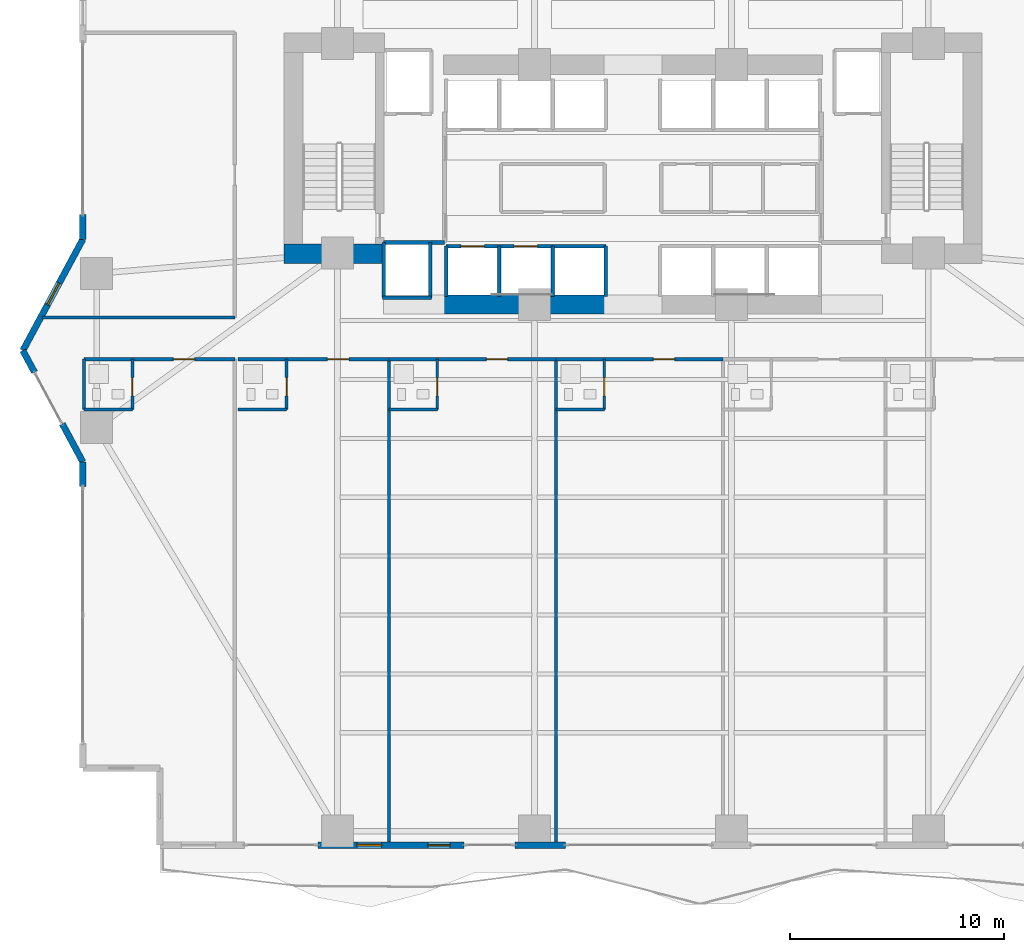
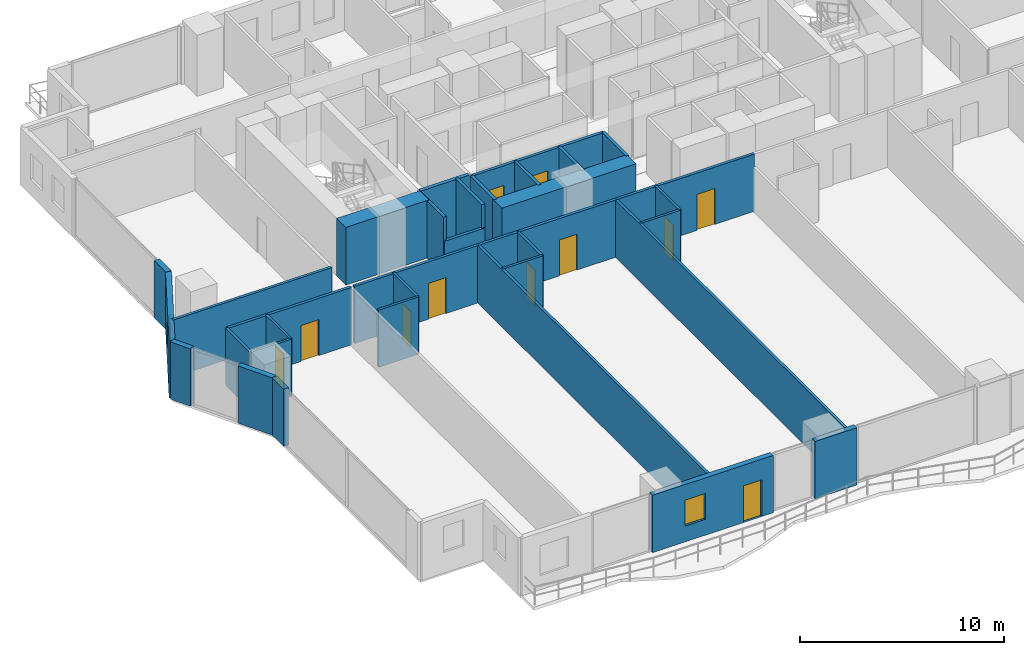
# One storey, part 19 of 28: 36 walls, 11 doors, 2 windows, 13 openings.
"""IFC4 building model written with IfcOpenShell, lengths in metres."""

from ifc_helpers import new_model, si_unit, direction, frame, frame_2d, origin, place, context, subcontext, project, spatial, rectangle, extrude, material, layer, layer_set, type_object, element, fill, save


model = new_model("IFC4")

# Units and contexts
model_context = context("Model", 3, precision=1e-05, world=origin(), true_north=direction((0.0, 1.0)))
body_context = subcontext(model_context, "Body", "Model", "MODEL_VIEW")
ifc_project = project(units=[si_unit("LENGTHUNIT", "METRE"), si_unit("AREAUNIT", "SQUARE_METRE"), si_unit("VOLUMEUNIT", "CUBIC_METRE"), si_unit("PLANEANGLEUNIT", "RADIAN"), si_unit("MASSUNIT", "GRAM", prefix="KILO")], contexts=[model_context])

# Site, building, storey
site_placement = place(None, origin())
site = spatial("IfcSite", under=ifc_project, at=site_placement, CompositionType="ELEMENT")
building_placement = place(site_placement, origin())
building = spatial("IfcBuilding", under=site, at=building_placement, Name="Zuhayl Quay Hotel", CompositionType="ELEMENT")
storey_placement = place(building_placement, frame((0.0, 0.0, 53.14990234375)))
storey = spatial("IfcBuildingStorey", under=building, at=storey_placement, Name="L12", CompositionType="ELEMENT", Elevation=53.14990234375)

# Walls
ifc_material_1 = material(Name="Concrete C70/85", Category="concrete")
ifc_layer_1 = layer(ifc_material_1, 0.89990234375, Name="Concrete C70/85", Category="concrete")
ifc_layer_set_1 = layer_set([ifc_layer_1], Name="Concrete C70/85")
wall_type_1 = type_object("IfcWallType", Name="WL_CORE_900", PredefinedType="SHEAR", material=ifc_layer_set_1)
wall_1_placement = place(storey_placement, frame((-16.31005859375, 4.52001953125, 0.0), z_axis=(0.0, 0.0, 1.0), x_axis=(1.0, 0.0, 0.0)))
element("IfcWall", 1, at=wall_1_placement, inside=storey, type_object=wall_type_1, Name="L12 Core Shear Wall CW_SW", PredefinedType="SHEAR", context=body_context, shape_type="SweptSolid", body=[
    extrude(rectangle(XDim=4.7099609375, YDim=0.89990234375, at=frame_2d((2.35498046875, 0.0))), origin(), (0.0, 0.0, 1.0), 3.460205078125),
])
wall_2_placement = place(storey_placement, frame((-8.85009765625, 2.14990234375, 0.0), z_axis=(0.0, 0.0, 1.0), x_axis=(1.0, 0.0, 0.0)))
element("IfcWall", 2, at=wall_2_placement, inside=storey, type_object=wall_type_1, Name="L12 Core Shear Wall CW_SC_W", PredefinedType="SHEAR", context=body_context, shape_type="SweptSolid", body=[
    extrude(rectangle(XDim=7.60009765625, YDim=0.89990234375, at=frame_2d((3.800048828125, 0.0))), origin(), (0.0, 0.0, 1.0), 3.43017578125),
])
ifc_material_2 = material(Name="Precast concrete C45/55", Category="concrete")
ifc_layer_2 = layer(ifc_material_2, 0.300048828125, Name="Precast concrete C45/55", Category="concrete")
ifc_layer_set_2 = layer_set([ifc_layer_2], Name="Precast concrete C45/55")
wall_type_2 = type_object("IfcWallType", Name="WL_EXT_300", PredefinedType="STANDARD", material=ifc_layer_set_2)
wall_3_placement = place(storey_placement, frame((-25.699951171875, -6.35009765625, 0.0), z_axis=(0.0, 0.0, 1.0), x_axis=(0.0, 1.0, 0.0)))
element("IfcWall", 3, at=wall_3_placement, inside=storey, type_object=wall_type_2, Name="L12 Exterior Precast Wall ENV_L12_E02_EW2", PredefinedType="STANDARD", context=body_context, shape_type="SweptSolid", body=[
    extrude(rectangle(XDim=1.150146484375, YDim=0.300048828125, at=frame_2d((0.5751953125, 0.0))), origin(), (0.0, 0.0, 1.0), 3.43017578125),
])
wall_4_placement = place(storey_placement, frame((-25.699951171875, -5.199951171875, 0.0), z_axis=(0.0, 0.0, 1.0), x_axis=(-0.474121438562, 0.88045946045, 0.0)))
element("IfcWall", 4, at=wall_4_placement, inside=storey, type_object=wall_type_2, Name="L12 Exterior Precast Wall ENV_L12_E03_EW1", PredefinedType="STANDARD", context=body_context, shape_type="SweptSolid", body=[
    extrude(rectangle(XDim=2.0205078125, YDim=0.300048828125, at=frame_2d((1.01025390625, 0.0))), origin(), (0.0, 0.0, 1.0), 3.43017578125),
])
wall_5_placement = place(storey_placement, frame((-27.954833984375, -1.012451171875, 0.0), z_axis=(0.0, 0.0, 1.0), x_axis=(-0.474099823035, 0.880471099922, 0.0)))
element("IfcWall", 5, at=wall_5_placement, inside=storey, type_object=wall_type_2, Name="L12 Exterior Precast Wall ENV_L12_E03_EW2", PredefinedType="STANDARD", context=body_context, shape_type="SweptSolid", body=[
    extrude(rectangle(XDim=1.14990234375, YDim=0.300048828125, at=frame_2d((0.574951171875, 0.0))), origin(), (0.0, 0.0, 1.0), 3.43017578125),
])

# Wall, opening, window
wall_6_placement = place(storey_placement, frame((-28.5, 0.0, 0.0), z_axis=(0.0, 0.0, 1.0), x_axis=(0.474109683532, 0.880465790352, 0.0)))
wall_6 = element("IfcWall", 6, at=wall_6_placement, inside=storey, type_object=wall_type_2, Name="L12 Exterior Precast Wall ENV_L12_E04_EW1", PredefinedType="STANDARD", context=body_context, shape_type="SweptSolid", body=[
    extrude(rectangle(XDim=5.906005859375, YDim=0.300048828125, at=frame_2d((2.953125, 0.0))), origin(), (0.0, 0.0, 1.0), 3.43017578125),
])
opening_1_placement = place(wall_6_placement, frame((2.43212890625, 0.0, 0.949951171875)))
opening_1 = element("IfcOpeningElement", 7, at=opening_1_placement, cuts=wall_6, Name="Opening W01N", PredefinedType="OPENING", context=body_context, shape_type="SweptSolid", body=[
    extrude(rectangle(XDim=1.14990234375, YDim=1.550048828125, at=frame_2d((0.574951171875, 0.77490234375))), frame((0.0, 0.159912109375, 0.0), z_axis=(0.0, -1.0, 0.0), x_axis=(1.0, 0.0, 0.0)), (0.0, 0.0, 1.0), 0.320068359375),
])
ifc_material_3 = material(Name="Dark Ceramic-Fritted Solar Glass", Category="glass")
window_type = type_object("IfcWindowType", Name="WN_NOTCH_1350", PartitioningType="SINGLE_PANEL", PredefinedType="WINDOW", material=ifc_material_3)
window_1_placement = place(opening_1_placement, origin())
window_1 = element("IfcWindow", 8, at=window_1_placement, inside=storey, type_object=window_type, Name="L12 Operable Facade Window 1-1", OverallHeight=1.550048828125, OverallWidth=1.14990234375, PartitioningType="SINGLE_PANEL", PredefinedType="WINDOW", context=body_context, shape_type="SweptSolid", body=[
    extrude(rectangle(XDim=1.14990234375, YDim=1.550048828125, at=frame_2d((0.574951171875, 0.77490234375))), frame((0.0, 0.030029296875, 0.0), z_axis=(0.0, -1.0, 0.0), x_axis=(1.0, 0.0, 0.0)), (0.0, 0.0, 1.0), 0.06005859375),
])
fill(opening_1, window_1)

# Walls
wall_7_placement = place(storey_placement, frame((-25.699951171875, 5.199951171875, 0.0), z_axis=(0.0, 0.0, 1.0), x_axis=(0.0, 1.0, 0.0)))
element("IfcWall", 9, at=wall_7_placement, inside=storey, type_object=wall_type_2, Name="L12 Exterior Precast Wall ENV_L12_E05_EW1", PredefinedType="STANDARD", context=body_context, shape_type="SweptSolid", body=[
    extrude(rectangle(XDim=1.150146484375, YDim=0.300048828125, at=frame_2d((0.5751953125, 0.0))), origin(), (0.0, 0.0, 1.0), 3.43017578125),
])
wall_8_placement = place(storey_placement, frame((-3.14990234375, -23.10009765625, 0.0), z_axis=(0.0, 0.0, 1.0), x_axis=(-1.0, 0.0, 0.0)))
element("IfcWall", 10, at=wall_8_placement, inside=storey, type_object=wall_type_2, Name="L12 Exterior Precast Wall ENV_L12_S_EW4", PredefinedType="STANDARD", context=body_context, shape_type="SweptSolid", body=[
    extrude(rectangle(XDim=2.3701171875, YDim=0.300048828125, at=frame_2d((1.18505859375, 0.0))), origin(), (0.0, 0.0, 1.0), 3.43017578125),
])

# Wall, openings, door, window
wall_9_placement = place(storey_placement, frame((-7.885009765625, -23.10009765625, 0.0), z_axis=(0.0, 0.0, 1.0), x_axis=(-1.0, 0.0, 0.0)))
wall_9 = element("IfcWall", 11, at=wall_9_placement, inside=storey, type_object=wall_type_2, Name="L12 Exterior Precast Wall ENV_L12_S_EW5", PredefinedType="STANDARD", context=body_context, shape_type="SweptSolid", body=[
    extrude(rectangle(XDim=6.8349609375, YDim=0.300048828125, at=frame_2d((3.41748046875, 0.0))), origin(), (0.0, 0.0, 1.0), 3.43017578125),
])
opening_2_placement = place(wall_9_placement, frame((0.64990234375, 0.0, 0.0)))
opening_2 = element("IfcOpeningElement", 12, at=opening_2_placement, cuts=wall_9, Name="Opening DG1", PredefinedType="OPENING", context=body_context, shape_type="SweptSolid", body=[
    extrude(rectangle(XDim=1.050048828125, YDim=2.199951171875, at=frame_2d((0.52490234375, 1.10009765625))), frame((0.0, 0.159912109375, 0.0), z_axis=(0.0, -1.0, 0.0), x_axis=(1.0, 0.0, 0.0)), (0.0, 0.0, 1.0), 0.320068359375),
])
opening_3_placement = place(wall_9_placement, frame((3.85009765625, 0.0, 0.949951171875)))
opening_3 = element("IfcOpeningElement", 13, at=opening_3_placement, cuts=wall_9, Name="Opening W01N", PredefinedType="OPENING", context=body_context, shape_type="SweptSolid", body=[
    extrude(rectangle(XDim=1.14990234375, YDim=1.550048828125, at=frame_2d((0.574951171875, 0.77490234375))), frame((0.0, 0.159912109375, 0.0), z_axis=(0.0, -1.0, 0.0), x_axis=(1.0, 0.0, 0.0)), (0.0, 0.0, 1.0), 0.320068359375),
])
ifc_material_4 = material(Name="Anodised Aluminium and Dark Solar Glass", Category="aluminium")
door_type_1 = type_object("IfcDoorType", Name="DR_EXT_TERR_1050", OperationType="NOTDEFINED", PredefinedType="DOOR", material=ifc_material_4)
door_1_placement = place(opening_2_placement, origin())
door_1 = element("IfcDoor", 14, at=door_1_placement, inside=storey, type_object=door_type_1, Name="L12 South Rippling Balcony Door", OperationType="SINGLE_SWING_RIGHT", OverallHeight=2.199951171875, OverallWidth=1.050048828125, PredefinedType="DOOR", context=body_context, shape_type="SweptSolid", body=[
    extrude(rectangle(XDim=1.050048828125, YDim=2.199951171875, at=frame_2d((0.52490234375, 1.10009765625))), frame((0.0, 0.02490234375, 0.0), z_axis=(0.0, -1.0, 0.0), x_axis=(1.0, 0.0, 0.0)), (0.0, 0.0, 1.0), 0.050048828125),
])
fill(opening_2, door_1)
window_2_placement = place(opening_3_placement, origin())
window_2 = element("IfcWindow", 15, at=window_2_placement, inside=storey, type_object=window_type, Name="L12 Operable Facade Window 5-1", OverallHeight=1.550048828125, OverallWidth=1.14990234375, PartitioningType="SINGLE_PANEL", PredefinedType="WINDOW", context=body_context, shape_type="SweptSolid", body=[
    extrude(rectangle(XDim=1.14990234375, YDim=1.550048828125, at=frame_2d((0.574951171875, 0.77490234375))), frame((0.0, 0.030029296875, 0.0), z_axis=(0.0, -1.0, 0.0), x_axis=(1.0, 0.0, 0.0)), (0.0, 0.0, 1.0), 0.06005859375),
])
fill(opening_3, window_2)

# Walls
ifc_material_5 = material(Name="Acoustic Gypsum Partition STC-58")
ifc_layer_3 = layer(ifc_material_5, 0.14990234375, Name="Acoustic Gypsum Partition STC-58")
ifc_layer_set_3 = layer_set([ifc_layer_3], Name="Acoustic Gypsum Partition STC-58")
wall_type_3 = type_object("IfcWallType", Name="WL_PART_150", PredefinedType="PARTITIONING", material=ifc_layer_set_3)
for number, where, z_axis, x_axis, name in (
    (16, (-11.39990234375, -23.02001953125, 0.0), (0.0, 0.0, 1.0), (0.0, 1.0, 0.0), "L12 Partition IW_L12_SU01B_E"),
    (17, (-3.60009765625, -23.02001953125, 0.0), (0.0, 0.0, 1.0), (0.0, 1.0, 0.0), "L12 Partition IW_L12_SU02_E"),
):
    element("IfcWall", number, at=place(storey_placement, frame(where, z_axis=z_axis, x_axis=x_axis)), inside=storey, type_object=wall_type_3, Name=name, PredefinedType="PARTITIONING", context=body_context, shape_type="SweptSolid", body=[
        extrude(rectangle(XDim=22.6201171875, YDim=0.14990234375, at=frame_2d((11.31005859375, 0.0))), origin(), (0.0, 0.0, 1.0), 3.43017578125),
    ])
wall_10_placement = place(storey_placement, frame((-27.60546875, 1.550048828125, 0.0), z_axis=(0.0, 0.0, 1.0), x_axis=(1.0, 0.0, 0.0)))
element("IfcWall", 18, at=wall_10_placement, inside=storey, type_object=wall_type_3, Name="L12 Partition IW_L12_WPROW_1_S", PredefinedType="PARTITIONING", context=body_context, shape_type="SweptSolid", body=[
    extrude(rectangle(XDim=9.00537109375, YDim=0.14990234375, at=frame_2d((4.502685546875, 0.0))), origin(), (0.0, 0.0, 1.0), 3.43017578125),
])

# Wall, opening, door
ifc_layer_4 = layer(ifc_material_5, 0.159912109375, Name="Acoustic Gypsum Partition STC-58")
ifc_layer_set_4 = layer_set([ifc_layer_4], Name="Acoustic Gypsum Partition STC-58")
wall_type_4 = type_object("IfcWallType", Name="WL_PART_CORR_160", PredefinedType="PARTITIONING", material=ifc_layer_set_4)
wall_11_placement = place(storey_placement, frame((-25.639892578125, -0.39990234375, 0.0), z_axis=(0.0, 0.0, 1.0), x_axis=(1.0, 0.0, 0.0)))
wall_11 = element("IfcWall", 19, at=wall_11_placement, inside=storey, type_object=wall_type_4, Name="L12 Partition IW_L12_SU01A_COR", PredefinedType="PARTITIONING", context=body_context, shape_type="SweptSolid", body=[
    extrude(rectangle(XDim=7.039794921875, YDim=0.159912109375, at=frame_2d((3.52001953125, 0.0))), origin(), (0.0, 0.0, 1.0), 3.43017578125),
])
opening_4_placement = place(wall_11_placement, frame((4.169921875, 0.0, 0.0)))
opening_4 = element("IfcOpeningElement", 20, at=opening_4_placement, cuts=wall_11, Name="Opening D03L", PredefinedType="OPENING", context=body_context, shape_type="SweptSolid", body=[
    extrude(rectangle(XDim=1.0, YDim=2.14990234375, at=frame_2d((0.5, 1.074951171875))), frame((0.0, 0.08984375, 0.0), z_axis=(0.0, -1.0, 0.0), x_axis=(1.0, 0.0, 0.0)), (0.0, 0.0, 1.0), 0.179931640625),
])
ifc_material_6 = material(Name="Solid Walnut Acoustic Fire Door")
door_type_2 = type_object("IfcDoorType", Name="DR_SUITE_1000", OperationType="NOTDEFINED", PredefinedType="DOOR", material=ifc_material_6)
door_2_placement = place(opening_4_placement, origin())
door_2 = element("IfcDoor", 21, at=door_2_placement, inside=storey, type_object=door_type_2, Name="L12 City-View Junior Suite L12-01A Entrance Door", OperationType="SINGLE_SWING_LEFT", OverallHeight=2.14990234375, OverallWidth=1.0, PredefinedType="DOOR", context=body_context, shape_type="SweptSolid", body=[
    extrude(rectangle(XDim=1.0, YDim=2.14990234375, at=frame_2d((0.5, 1.074951171875))), frame((0.0, 0.02490234375, 0.0), z_axis=(0.0, -1.0, 0.0), x_axis=(1.0, 0.0, 0.0)), (0.0, 0.0, 1.0), 0.050048828125),
])
fill(opening_4, door_2)

wall_12_placement = place(storey_placement, frame((-18.43994140625, -0.39990234375, 0.0), z_axis=(0.0, 0.0, 1.0), x_axis=(1.0, 0.0, 0.0)))
wall_12 = element("IfcWall", 22, at=wall_12_placement, inside=storey, type_object=wall_type_4, Name="L12 Partition IW_L12_SU01B_COR", PredefinedType="PARTITIONING", context=body_context, shape_type="SweptSolid", body=[
    extrude(rectangle(XDim=7.0400390625, YDim=0.159912109375, at=frame_2d((3.52001953125, 0.0))), origin(), (0.0, 0.0, 1.0), 3.43017578125),
])
opening_5_placement = place(wall_12_placement, frame((4.169921875, 0.0, 0.0)))
opening_5 = element("IfcOpeningElement", 23, at=opening_5_placement, cuts=wall_12, Name="Opening D03L", PredefinedType="OPENING", context=body_context, shape_type="SweptSolid", body=[
    extrude(rectangle(XDim=1.0, YDim=2.14990234375, at=frame_2d((0.5, 1.074951171875))), frame((0.0, 0.08984375, 0.0), z_axis=(0.0, -1.0, 0.0), x_axis=(1.0, 0.0, 0.0)), (0.0, 0.0, 1.0), 0.179931640625),
])
door_3_placement = place(opening_5_placement, origin())
door_3 = element("IfcDoor", 24, at=door_3_placement, inside=storey, type_object=door_type_2, Name="L12 City-View Junior Suite L12-01B Entrance Door", OperationType="SINGLE_SWING_LEFT", OverallHeight=2.14990234375, OverallWidth=1.0, PredefinedType="DOOR", context=body_context, shape_type="SweptSolid", body=[
    extrude(rectangle(XDim=1.0, YDim=2.14990234375, at=frame_2d((0.5, 1.074951171875))), frame((0.0, 0.02490234375, 0.0), z_axis=(0.0, -1.0, 0.0), x_axis=(1.0, 0.0, 0.0)), (0.0, 0.0, 1.0), 0.050048828125),
])
fill(opening_5, door_3)

wall_13_placement = place(storey_placement, frame((-11.39990234375, -0.39990234375, 0.0), z_axis=(0.0, 0.0, 1.0), x_axis=(1.0, 0.0, 0.0)))
wall_13 = element("IfcWall", 25, at=wall_13_placement, inside=storey, type_object=wall_type_4, Name="L12 Partition IW_L12_SU02_COR", PredefinedType="PARTITIONING", context=body_context, shape_type="SweptSolid", body=[
    extrude(rectangle(XDim=7.7998046875, YDim=0.159912109375, at=frame_2d((3.89990234375, 0.0))), origin(), (0.0, 0.0, 1.0), 3.43017578125),
])
opening_6_placement = place(wall_13_placement, frame((4.550048828125, 0.0, 0.0)))
opening_6 = element("IfcOpeningElement", 26, at=opening_6_placement, cuts=wall_13, Name="Opening D03L", PredefinedType="OPENING", context=body_context, shape_type="SweptSolid", body=[
    extrude(rectangle(XDim=1.0, YDim=2.14990234375, at=frame_2d((0.5, 1.074951171875))), frame((0.0, 0.08984375, 0.0), z_axis=(0.0, -1.0, 0.0), x_axis=(1.0, 0.0, 0.0)), (0.0, 0.0, 1.0), 0.179931640625),
])
door_4_placement = place(opening_6_placement, origin())
door_4 = element("IfcDoor", 27, at=door_4_placement, inside=storey, type_object=door_type_2, Name="L12 City-View Junior Suite L12-02 Entrance Door", OperationType="SINGLE_SWING_LEFT", OverallHeight=2.14990234375, OverallWidth=1.0, PredefinedType="DOOR", context=body_context, shape_type="SweptSolid", body=[
    extrude(rectangle(XDim=1.0, YDim=2.14990234375, at=frame_2d((0.5, 1.074951171875))), frame((0.0, 0.02490234375, 0.0), z_axis=(0.0, -1.0, 0.0), x_axis=(1.0, 0.0, 0.0)), (0.0, 0.0, 1.0), 0.050048828125),
])
fill(opening_6, door_4)

wall_14_placement = place(storey_placement, frame((-3.60009765625, -0.39990234375, 0.0), z_axis=(0.0, 0.0, 1.0), x_axis=(1.0, 0.0, 0.0)))
wall_14 = element("IfcWall", 28, at=wall_14_placement, inside=storey, type_object=wall_type_4, Name="L12 Partition IW_L12_SU03_COR", PredefinedType="PARTITIONING", context=body_context, shape_type="SweptSolid", body=[
    extrude(rectangle(XDim=7.800048828125, YDim=0.159912109375, at=frame_2d((3.89990234375, 0.0))), origin(), (0.0, 0.0, 1.0), 3.43017578125),
])
opening_7_placement = place(wall_14_placement, frame((4.550048828125, 0.0, 0.0)))
opening_7 = element("IfcOpeningElement", 29, at=opening_7_placement, cuts=wall_14, Name="Opening D03L", PredefinedType="OPENING", context=body_context, shape_type="SweptSolid", body=[
    extrude(rectangle(XDim=1.0, YDim=2.14990234375, at=frame_2d((0.5, 1.074951171875))), frame((0.0, 0.08984375, 0.0), z_axis=(0.0, -1.0, 0.0), x_axis=(1.0, 0.0, 0.0)), (0.0, 0.0, 1.0), 0.179931640625),
])
door_5_placement = place(opening_7_placement, origin())
door_5 = element("IfcDoor", 30, at=door_5_placement, inside=storey, type_object=door_type_2, Name="L12 City-View Junior Suite L12-03 Entrance Door", OperationType="SINGLE_SWING_LEFT", OverallHeight=2.14990234375, OverallWidth=1.0, PredefinedType="DOOR", context=body_context, shape_type="SweptSolid", body=[
    extrude(rectangle(XDim=1.0, YDim=2.14990234375, at=frame_2d((0.5, 1.074951171875))), frame((0.0, 0.02490234375, 0.0), z_axis=(0.0, -1.0, 0.0), x_axis=(1.0, 0.0, 0.0)), (0.0, 0.0, 1.0), 0.050048828125),
])
fill(opening_7, door_5)

ifc_material_7 = material(Name="Moisture-Resistant Sanitarychase Gypsum")
ifc_layer_5 = layer(ifc_material_7, 0.135009765625, Name="Moisture-Resistant Sanitarychase Gypsum")
ifc_layer_set_5 = layer_set([ifc_layer_5], Name="Moisture-Resistant Sanitarychase Gypsum")
wall_type_5 = type_object("IfcWallType", Name="WL_PART_PLUMB_150", PredefinedType="PLUMBINGWALL", material=ifc_layer_set_5)
wall_15_placement = place(storey_placement, frame((-23.3798828125, -2.760009765625, 0.0), z_axis=(0.0, 0.0, 1.0), x_axis=(0.0, 1.0, 0.0)))
wall_15 = element("IfcWall", 31, at=wall_15_placement, inside=storey, type_object=wall_type_5, Name="L12 Partition IW_L12_SU01A_BE", PredefinedType="PLUMBINGWALL", context=body_context, shape_type="SweptSolid", body=[
    extrude(rectangle(XDim=2.360107421875, YDim=0.135009765625, at=frame_2d((1.18017578125, 0.0))), origin(), (0.0, 0.0, 1.0), 3.43017578125),
])
opening_8_placement = place(wall_15_placement, frame((0.64990234375, 0.0, 0.0)))
opening_8 = element("IfcOpeningElement", 32, at=opening_8_placement, cuts=wall_15, Name="Opening D04", PredefinedType="OPENING", context=body_context, shape_type="SweptSolid", body=[
    extrude(rectangle(XDim=0.85009765625, YDim=2.10009765625, at=frame_2d((0.425048828125, 1.050048828125))), frame((0.0, 0.077392578125, 0.0), z_axis=(0.0, -1.0, 0.0), x_axis=(1.0, 0.0, 0.0)), (0.0, 0.0, 1.0), 0.155029296875),
])
ifc_material_8 = material(Name="Moisture-Resistant Walnut Veneer")
door_type_3 = type_object("IfcDoorType", Name="DR_BATH_850", OperationType="NOTDEFINED", PredefinedType="DOOR", material=ifc_material_8)
door_6_placement = place(opening_8_placement, origin())
door_6 = element("IfcDoor", 33, at=door_6_placement, inside=storey, type_object=door_type_3, Name="L12 City-View Junior Suite L12-01A En-Suite Door", OperationType="SINGLE_SWING_RIGHT", OverallHeight=2.10009765625, OverallWidth=0.85009765625, PredefinedType="DOOR", context=body_context, shape_type="SweptSolid", body=[
    extrude(rectangle(XDim=0.85009765625, YDim=2.10009765625, at=frame_2d((0.425048828125, 1.050048828125))), frame((0.0, 0.02490234375, 0.0), z_axis=(0.0, -1.0, 0.0), x_axis=(1.0, 0.0, 0.0)), (0.0, 0.0, 1.0), 0.050048828125),
])
fill(opening_8, door_6)

wall_16_placement = place(storey_placement, frame((-16.179931640625, -2.760009765625, 0.0), z_axis=(0.0, 0.0, 1.0), x_axis=(0.0, 1.0, 0.0)))
wall_16 = element("IfcWall", 34, at=wall_16_placement, inside=storey, type_object=wall_type_5, Name="L12 Partition IW_L12_SU01B_BE", PredefinedType="PLUMBINGWALL", context=body_context, shape_type="SweptSolid", body=[
    extrude(rectangle(XDim=2.360107421875, YDim=0.135009765625, at=frame_2d((1.18017578125, 0.0))), origin(), (0.0, 0.0, 1.0), 3.43017578125),
])
opening_9_placement = place(wall_16_placement, frame((0.64990234375, 0.0, 0.0)))
opening_9 = element("IfcOpeningElement", 35, at=opening_9_placement, cuts=wall_16, Name="Opening D04", PredefinedType="OPENING", context=body_context, shape_type="SweptSolid", body=[
    extrude(rectangle(XDim=0.85009765625, YDim=2.10009765625, at=frame_2d((0.425048828125, 1.050048828125))), frame((0.0, 0.077392578125, 0.0), z_axis=(0.0, -1.0, 0.0), x_axis=(1.0, 0.0, 0.0)), (0.0, 0.0, 1.0), 0.155029296875),
])
door_7_placement = place(opening_9_placement, origin())
door_7 = element("IfcDoor", 36, at=door_7_placement, inside=storey, type_object=door_type_3, Name="L12 City-View Junior Suite L12-01B En-Suite Door", OperationType="SINGLE_SWING_RIGHT", OverallHeight=2.10009765625, OverallWidth=0.85009765625, PredefinedType="DOOR", context=body_context, shape_type="SweptSolid", body=[
    extrude(rectangle(XDim=0.85009765625, YDim=2.10009765625, at=frame_2d((0.425048828125, 1.050048828125))), frame((0.0, 0.02490234375, 0.0), z_axis=(0.0, -1.0, 0.0), x_axis=(1.0, 0.0, 0.0)), (0.0, 0.0, 1.0), 0.050048828125),
])
fill(opening_9, door_7)

wall_17_placement = place(storey_placement, frame((-9.139892578125, -2.760009765625, 0.0), z_axis=(0.0, 0.0, 1.0), x_axis=(0.0, 1.0, 0.0)))
wall_17 = element("IfcWall", 37, at=wall_17_placement, inside=storey, type_object=wall_type_5, Name="L12 Partition IW_L12_SU02_BE", PredefinedType="PLUMBINGWALL", context=body_context, shape_type="SweptSolid", body=[
    extrude(rectangle(XDim=2.360107421875, YDim=0.135009765625, at=frame_2d((1.18017578125, 0.0))), origin(), (0.0, 0.0, 1.0), 3.43017578125),
])
opening_10_placement = place(wall_17_placement, frame((0.64990234375, 0.0, 0.0)))
opening_10 = element("IfcOpeningElement", 38, at=opening_10_placement, cuts=wall_17, Name="Opening D04", PredefinedType="OPENING", context=body_context, shape_type="SweptSolid", body=[
    extrude(rectangle(XDim=0.85009765625, YDim=2.10009765625, at=frame_2d((0.425048828125, 1.050048828125))), frame((0.0, 0.077392578125, 0.0), z_axis=(0.0, -1.0, 0.0), x_axis=(1.0, 0.0, 0.0)), (0.0, 0.0, 1.0), 0.155029296875),
])
door_8_placement = place(opening_10_placement, origin())
door_8 = element("IfcDoor", 39, at=door_8_placement, inside=storey, type_object=door_type_3, Name="L12 City-View Junior Suite L12-02 En-Suite Door", OperationType="SINGLE_SWING_RIGHT", OverallHeight=2.10009765625, OverallWidth=0.85009765625, PredefinedType="DOOR", context=body_context, shape_type="SweptSolid", body=[
    extrude(rectangle(XDim=0.85009765625, YDim=2.10009765625, at=frame_2d((0.425048828125, 1.050048828125))), frame((0.0, 0.02490234375, 0.0), z_axis=(0.0, -1.0, 0.0), x_axis=(1.0, 0.0, 0.0)), (0.0, 0.0, 1.0), 0.050048828125),
])
fill(opening_10, door_8)

wall_18_placement = place(storey_placement, frame((-1.340087890625, -2.760009765625, 0.0), z_axis=(0.0, 0.0, 1.0), x_axis=(0.0, 1.0, 0.0)))
wall_18 = element("IfcWall", 40, at=wall_18_placement, inside=storey, type_object=wall_type_5, Name="L12 Partition IW_L12_SU03_BE", PredefinedType="PLUMBINGWALL", context=body_context, shape_type="SweptSolid", body=[
    extrude(rectangle(XDim=2.360107421875, YDim=0.135009765625, at=frame_2d((1.18017578125, 0.0))), origin(), (0.0, 0.0, 1.0), 3.43017578125),
])
opening_11_placement = place(wall_18_placement, frame((0.64990234375, 0.0, 0.0)))
opening_11 = element("IfcOpeningElement", 41, at=opening_11_placement, cuts=wall_18, Name="Opening D04", PredefinedType="OPENING", context=body_context, shape_type="SweptSolid", body=[
    extrude(rectangle(XDim=0.85009765625, YDim=2.10009765625, at=frame_2d((0.425048828125, 1.050048828125))), frame((0.0, 0.077392578125, 0.0), z_axis=(0.0, -1.0, 0.0), x_axis=(1.0, 0.0, 0.0)), (0.0, 0.0, 1.0), 0.155029296875),
])
door_9_placement = place(opening_11_placement, origin())
door_9 = element("IfcDoor", 42, at=door_9_placement, inside=storey, type_object=door_type_3, Name="L12 City-View Junior Suite L12-03 En-Suite Door", OperationType="SINGLE_SWING_RIGHT", OverallHeight=2.10009765625, OverallWidth=0.85009765625, PredefinedType="DOOR", context=body_context, shape_type="SweptSolid", body=[
    extrude(rectangle(XDim=0.85009765625, YDim=2.10009765625, at=frame_2d((0.425048828125, 1.050048828125))), frame((0.0, 0.02490234375, 0.0), z_axis=(0.0, -1.0, 0.0), x_axis=(1.0, 0.0, 0.0)), (0.0, 0.0, 1.0), 0.050048828125),
])
fill(opening_11, door_9)

# Walls
wall_19_placement = place(storey_placement, frame((-25.639892578125, -2.760009765625, 0.0), z_axis=(0.0, 0.0, 1.0), x_axis=(1.0, 0.0, 0.0)))
element("IfcWall", 43, at=wall_19_placement, inside=storey, type_object=wall_type_5, Name="L12 Partition IW_L12_SU01A_BS", PredefinedType="PLUMBINGWALL", context=body_context, shape_type="SweptSolid", body=[
    extrude(rectangle(XDim=2.260009765625, YDim=0.135009765625, at=frame_2d((1.1298828125, 0.0))), origin(), (0.0, 0.0, 1.0), 3.43017578125),
])
wall_20_placement = place(storey_placement, frame((-25.639892578125, -2.760009765625, 0.0), z_axis=(0.0, 0.0, 1.0), x_axis=(0.0, 1.0, 0.0)))
element("IfcWall", 44, at=wall_20_placement, inside=storey, type_object=wall_type_5, Name="L12 Partition IW_L12_SU01A_BW", PredefinedType="PLUMBINGWALL", context=body_context, shape_type="SweptSolid", body=[
    extrude(rectangle(XDim=2.360107421875, YDim=0.135009765625, at=frame_2d((1.18017578125, 0.0))), origin(), (0.0, 0.0, 1.0), 3.43017578125),
])
for number, where, z_axis, x_axis, name in (
    (45, (-18.43994140625, -2.760009765625, 0.0), (0.0, 0.0, 1.0), (1.0, 0.0, 0.0), "L12 Partition IW_L12_SU01B_BS"),
    (46, (-11.39990234375, -2.760009765625, 0.0), (0.0, 0.0, 1.0), (1.0, 0.0, 0.0), "L12 Partition IW_L12_SU02_BS"),
    (47, (-3.60009765625, -2.760009765625, 0.0), (0.0, 0.0, 1.0), (1.0, 0.0, 0.0), "L12 Partition IW_L12_SU03_BS"),
):
    element("IfcWall", number, at=place(storey_placement, frame(where, z_axis=z_axis, x_axis=x_axis)), inside=storey, type_object=wall_type_5, Name=name, PredefinedType="PLUMBINGWALL", context=body_context, shape_type="SweptSolid", body=[
        extrude(rectangle(XDim=2.260009765625, YDim=0.135009765625, at=frame_2d((1.1298828125, 0.0))), origin(), (0.0, 0.0, 1.0), 3.43017578125),
    ])

# Wall, opening, door
ifc_material_9 = material(Name="Gypsum Fireboard Assembly EI-90")
ifc_layer_6 = layer(ifc_material_9, 0.1650390625, Name="Gypsum Fireboard Assembly EI-90")
ifc_layer_set_6 = layer_set([ifc_layer_6], Name="Gypsum Fireboard Assembly EI-90")
wall_type_6 = type_object("IfcWallType", Name="WL_PART_SHAFT_160", PredefinedType="PARTITIONING", material=ifc_layer_set_6)
wall_21_placement = place(storey_placement, frame((-8.72998046875, 4.8798828125, 0.0), z_axis=(0.0, 0.0, 1.0), x_axis=(1.0, 0.0, 0.0)))
wall_21 = element("IfcWall", 48, at=wall_21_placement, inside=storey, type_object=wall_type_6, Name="L12 Partition IW_L12_SH_LP1_F", PredefinedType="PARTITIONING", context=body_context, shape_type="SweptSolid", body=[
    extrude(rectangle(XDim=2.47998046875, YDim=0.1650390625, at=frame_2d((1.239990234375, 0.0))), origin(), (0.0, 0.0, 1.0), 3.43017578125),
])
opening_12_placement = place(wall_21_placement, frame((0.68994140625, 0.0, 0.0)))
opening_12 = element("IfcOpeningElement", 49, at=opening_12_placement, cuts=wall_21, Name="Opening LD1", PredefinedType="OPENING", context=body_context, shape_type="SweptSolid", body=[
    extrude(rectangle(XDim=1.10009765625, YDim=2.25, at=frame_2d((0.550048828125, 1.125))), frame((0.0, 0.092529296875, 0.0), z_axis=(0.0, -1.0, 0.0), x_axis=(1.0, 0.0, 0.0)), (0.0, 0.0, 1.0), 0.18505859375),
])
ifc_material_10 = material(Name="Brushed Stainless Steel", Category="steel")
door_type_4 = type_object("IfcDoorType", Name="DR_LIFT_PASS_1100", OperationType="SLIDING_TO_LEFT", PredefinedType="DOOR", material=ifc_material_10)
door_10_placement = place(opening_12_placement, origin())
door_10 = element("IfcDoor", 50, at=door_10_placement, inside=storey, type_object=door_type_4, Name="L12 Lift LP1 Sliding Landing Door", OperationType="SLIDING_TO_LEFT", OverallHeight=2.25, OverallWidth=1.10009765625, PredefinedType="DOOR", context=body_context, shape_type="SweptSolid", body=[
    extrude(rectangle(XDim=1.10009765625, YDim=2.25, at=frame_2d((0.550048828125, 1.125))), frame((0.0, 0.02490234375, 0.0), z_axis=(0.0, -1.0, 0.0), x_axis=(1.0, 0.0, 0.0)), (0.0, 0.0, 1.0), 0.050048828125),
])
fill(opening_12, door_10)

wall_22_placement = place(storey_placement, frame((-6.25, 4.8798828125, 0.0), z_axis=(0.0, 0.0, 1.0), x_axis=(1.0, 0.0, 0.0)))
wall_22 = element("IfcWall", 51, at=wall_22_placement, inside=storey, type_object=wall_type_6, Name="L12 Partition IW_L12_SH_LP2_F", PredefinedType="PARTITIONING", context=body_context, shape_type="SweptSolid", body=[
    extrude(rectangle(XDim=2.5, YDim=0.1650390625, at=frame_2d((1.25, 0.0))), origin(), (0.0, 0.0, 1.0), 3.43017578125),
])
opening_13_placement = place(wall_22_placement, frame((0.699951171875, 0.0, 0.0)))
opening_13 = element("IfcOpeningElement", 52, at=opening_13_placement, cuts=wall_22, Name="Opening LD1", PredefinedType="OPENING", context=body_context, shape_type="SweptSolid", body=[
    extrude(rectangle(XDim=1.10009765625, YDim=2.25, at=frame_2d((0.550048828125, 1.125))), frame((0.0, 0.092529296875, 0.0), z_axis=(0.0, -1.0, 0.0), x_axis=(1.0, 0.0, 0.0)), (0.0, 0.0, 1.0), 0.18505859375),
])
door_11_placement = place(opening_13_placement, origin())
door_11 = element("IfcDoor", 53, at=door_11_placement, inside=storey, type_object=door_type_4, Name="L12 Lift LP2 Sliding Landing Door", OperationType="SLIDING_TO_LEFT", OverallHeight=2.25, OverallWidth=1.10009765625, PredefinedType="DOOR", context=body_context, shape_type="SweptSolid", body=[
    extrude(rectangle(XDim=1.10009765625, YDim=2.25, at=frame_2d((0.550048828125, 1.125))), frame((0.0, 0.02490234375, 0.0), z_axis=(0.0, -1.0, 0.0), x_axis=(1.0, 0.0, 0.0)), (0.0, 0.0, 1.0), 0.050048828125),
])
fill(opening_13, door_11)

# Walls
for number, where, z_axis, x_axis, name in (
    (54, (-8.72998046875, 2.52001953125, 0.0), (0.0, 0.0, 1.0), (0.0, 1.0, 0.0), "L12 Partition IW_L12_SH_LP1_W"),
    (55, (-6.25, 2.52001953125, 0.0), (0.0, 0.0, 1.0), (0.0, 1.0, 0.0), "L12 Partition IW_L12_SH_LP1_E"),
    (56, (-3.75, 2.52001953125, 0.0), (0.0, 0.0, 1.0), (0.0, 1.0, 0.0), "L12 Partition IW_L12_SH_LP2_E"),
):
    element("IfcWall", number, at=place(storey_placement, frame(where, z_axis=z_axis, x_axis=x_axis)), inside=storey, type_object=wall_type_6, Name=name, PredefinedType="PARTITIONING", context=body_context, shape_type="SweptSolid", body=[
        extrude(rectangle(XDim=2.35986328125, YDim=0.1650390625, at=frame_2d((1.179931640625, 0.0))), origin(), (0.0, 0.0, 1.0), 3.43017578125),
    ])
wall_23_placement = place(storey_placement, frame((-3.75, 4.8798828125, 0.0), z_axis=(0.0, 0.0, 1.0), x_axis=(1.0, 0.0, 0.0)))
element("IfcWall", 57, at=wall_23_placement, inside=storey, type_object=wall_type_6, Name="L12 Partition IW_L12_SH_MP1_F", PredefinedType="PARTITIONING", context=body_context, shape_type="SweptSolid", body=[
    extrude(rectangle(XDim=2.47998046875, YDim=0.1650390625, at=frame_2d((1.239990234375, 0.0))), origin(), (0.0, 0.0, 1.0), 3.43017578125),
])
wall_24_placement = place(storey_placement, frame((-1.27001953125, 2.52001953125, 0.0), z_axis=(0.0, 0.0, 1.0), x_axis=(0.0, 1.0, 0.0)))
element("IfcWall", 58, at=wall_24_placement, inside=storey, type_object=wall_type_6, Name="L12 Partition IW_L12_SH_MP1_E", PredefinedType="PARTITIONING", context=body_context, shape_type="SweptSolid", body=[
    extrude(rectangle(XDim=2.35986328125, YDim=0.1650390625, at=frame_2d((1.179931640625, 0.0))), origin(), (0.0, 0.0, 1.0), 3.43017578125),
])
wall_25_placement = place(storey_placement, frame((-11.6298828125, 2.469970703125, 0.0), z_axis=(0.0, 0.0, 1.0), x_axis=(0.0, 1.0, 0.0)))
element("IfcWall", 59, at=wall_25_placement, inside=storey, type_object=wall_type_6, Name="L12 Partition IW_L12_RISER_W", PredefinedType="PARTITIONING", context=body_context, shape_type="SweptSolid", body=[
    extrude(rectangle(XDim=2.580078125, YDim=0.1650390625, at=frame_2d((1.2900390625, 0.0))), origin(), (0.0, 0.0, 1.0), 3.43017578125),
])
wall_26_placement = place(storey_placement, frame((-11.7099609375, 2.469970703125, 0.0), z_axis=(0.0, 0.0, 1.0), x_axis=(1.0, 0.0, 0.0)))
element("IfcWall", 60, at=wall_26_placement, inside=storey, type_object=wall_type_6, Name="L12 Partition IW_L12_RISER_S", PredefinedType="PARTITIONING", context=body_context, shape_type="SweptSolid", body=[
    extrude(rectangle(XDim=2.31005859375, YDim=0.1650390625, at=frame_2d((1.155029296875, 0.0))), origin(), (0.0, 0.0, 1.0), 2.030029296875),
])
ifc_layer_7 = layer(ifc_material_9, 0.179931640625, Name="Gypsum Fireboard Assembly EI-90")
ifc_layer_set_7 = layer_set([ifc_layer_7], Name="Gypsum Fireboard Assembly EI-90")
wall_type_7 = type_object("IfcWallType", Name="WL_PART_SHAFT_180", PredefinedType="PARTITIONING", material=ifc_layer_set_7)
wall_27_placement = place(storey_placement, frame((-9.469970703125, 2.449951171875, 0.0), z_axis=(0.0, 0.0, 1.0), x_axis=(0.0, 1.0, 0.0)))
element("IfcWall", 61, at=wall_27_placement, inside=storey, type_object=wall_type_7, Name="L12 Partition IW_L12_RISER_E", PredefinedType="PARTITIONING", context=body_context, shape_type="SweptSolid", body=[
    extrude(rectangle(XDim=2.60009765625, YDim=0.179931640625, at=frame_2d((1.300048828125, 0.0))), origin(), (0.0, 0.0, 1.0), 3.43017578125),
])
ifc_material_11 = material(Name="Gypsum Fireboard Assembly EI-120")
ifc_layer_8 = layer(ifc_material_11, 0.199951171875, Name="Gypsum Fireboard Assembly EI-120")
ifc_layer_set_8 = layer_set([ifc_layer_8], Name="Gypsum Fireboard Assembly EI-120")
wall_type_8 = type_object("IfcWallType", Name="WL_PART_SHAFT_200", PredefinedType="PARTITIONING", material=ifc_layer_set_8)
wall_28_placement = place(storey_placement, frame((-11.64990234375, 5.050048828125, 0.0), z_axis=(0.0, 0.0, 1.0), x_axis=(1.0, 0.0, 0.0)))
element("IfcWall", 62, at=wall_28_placement, inside=storey, type_object=wall_type_8, Name="L12 Partition IW_L12_FSAE_W_S", PredefinedType="PARTITIONING", context=body_context, shape_type="SweptSolid", body=[
    extrude(rectangle(XDim=2.849853515625, YDim=0.199951171875, at=frame_2d((1.4248046875, 0.0))), origin(), (0.0, 0.0, 1.0), 3.43017578125),
])

save(model, "model.ifc")
